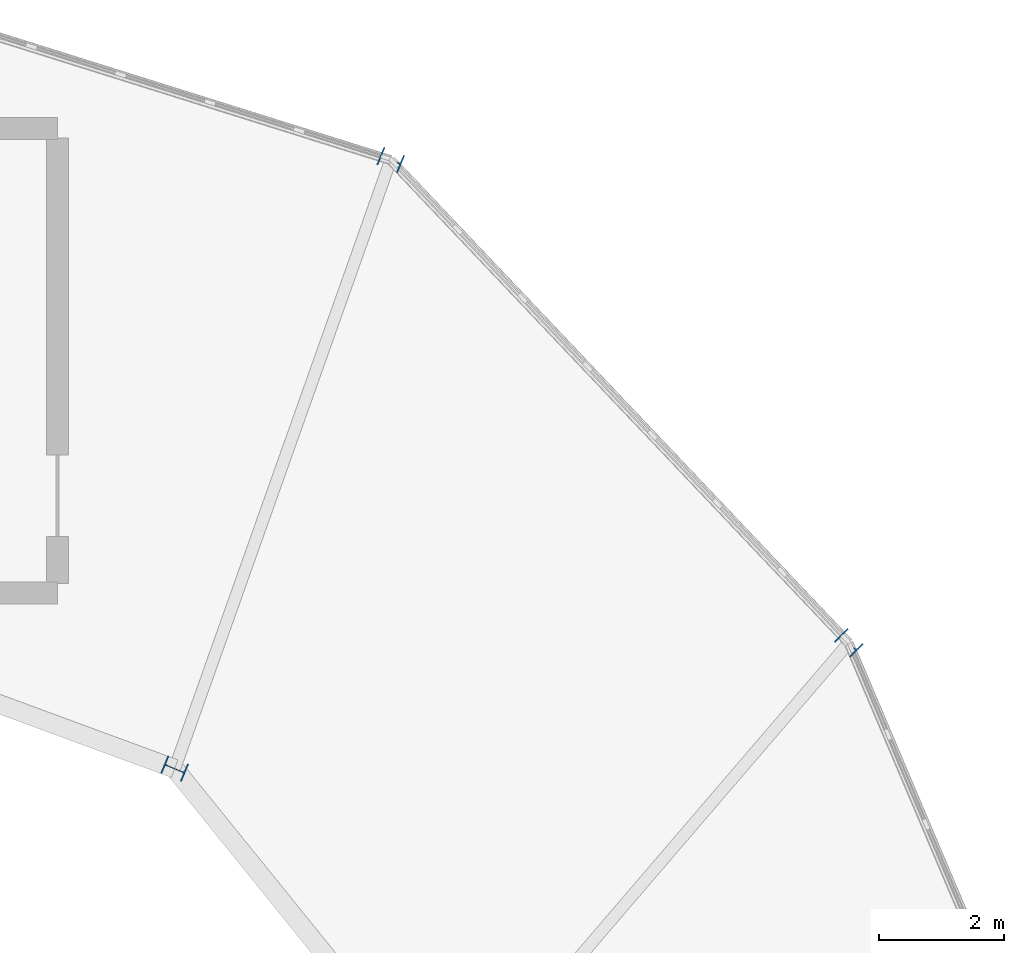
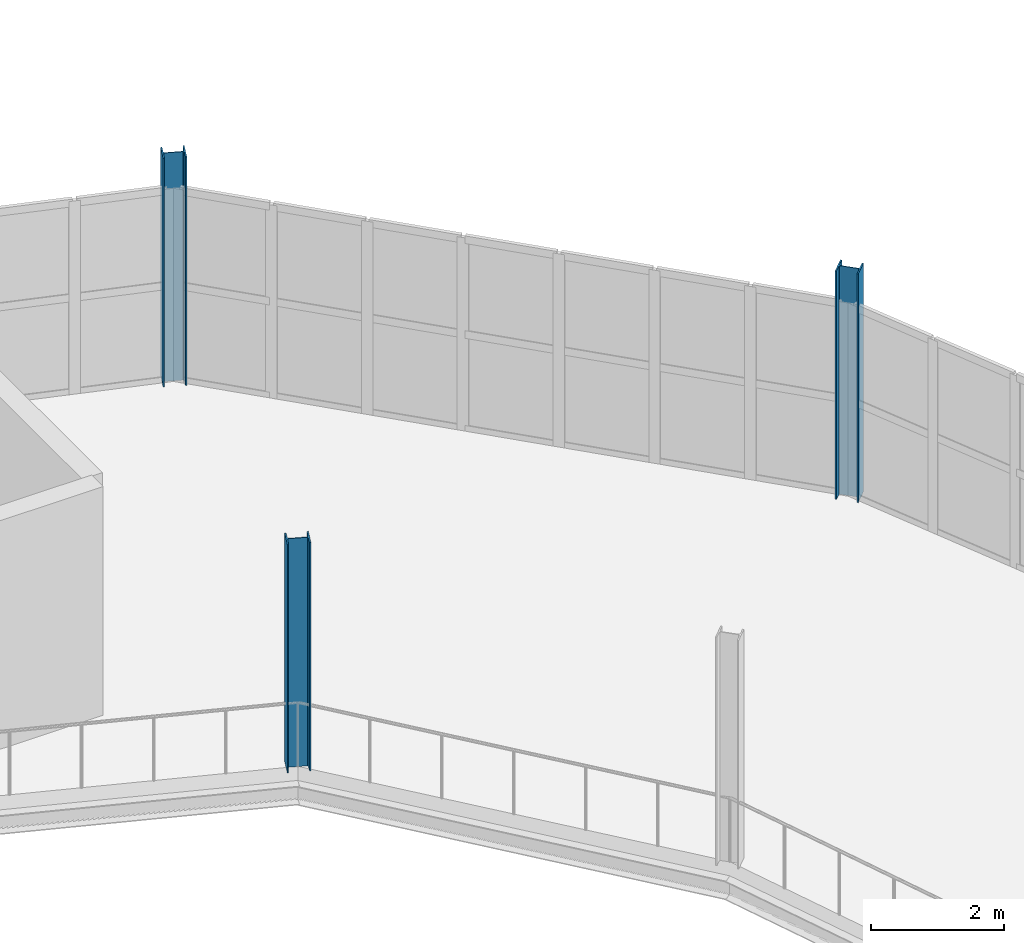
# One storey, part 28 of 161: 3 columns.
"""IFC4 building model written with IfcOpenShell, lengths in metres."""

from ifc_helpers import new_model, si_unit, direction, frame, origin, origin_2d, place, context, subcontext, project, spatial, i_section, extrude, material, material_profile, profile_set, type_object, element, save


model = new_model("IFC4")

# Units and contexts
model_context = context("Model", 3, precision=1e-05, world=origin(), true_north=direction((0.0, 1.0)))
body_context = subcontext(model_context, "Body", "Model", "MODEL_VIEW")
ifc_project = project(units=[si_unit("LENGTHUNIT", "METRE"), si_unit("AREAUNIT", "SQUARE_METRE"), si_unit("VOLUMEUNIT", "CUBIC_METRE"), si_unit("PLANEANGLEUNIT", "RADIAN"), si_unit("MASSUNIT", "GRAM", prefix="KILO")], contexts=[model_context])

# Site, building, storey
site_placement = place(None, origin())
site = spatial("IfcSite", under=ifc_project, at=site_placement, CompositionType="ELEMENT")
building_placement = place(site_placement, origin())
building = spatial("IfcBuilding", under=site, at=building_placement, Name="Kildeholm Park Wholesale Market", CompositionType="ELEMENT")
storey_placement = place(building_placement, frame((0.0, 0.0, 5.39990234375)))
storey = spatial("IfcBuildingStorey", under=building, at=storey_placement, Name="L01", CompositionType="ELEMENT", Elevation=5.39990234375)

# Columns
ifc_material = material(Name="Steel S355", Category="steel")
ifc_material_profile = material_profile(ifc_material, i_section(OverallWidth=0.300048828125, OverallDepth=0.360107421875, WebThickness=0.012451171875, FlangeThickness=0.0224609375, FilletRadius=0.027099609375, at=origin_2d()), Name="HEB 360")
ifc_profile_set = profile_set([ifc_material_profile], Name="Steel S355")
column_type = type_object("IfcColumnType", Name="Column C-S04 HEB 360", PredefinedType="COLUMN", material=ifc_profile_set)
for number, where, z_axis, x_axis, name in (
    (1, (203.909912109375, 119.60205078125, 0.0), (0.0, 0.0, 1.0), (0.707106781187, 0.707106781187, 0.0), "Column V2-OT-02 L01 COL-0231"),
    (2, (193.166015625, 117.596923828125, 0.0), (0.0, 0.0, 1.0), (0.382683432365, 0.923879532511, 0.0), "Column V2-IN-03 L01 COL-0233"),
    (3, (196.610107421875, 127.298095703125, 0.0), (0.0, 0.0, 1.0), (0.382683432365, 0.923879532511, 0.0), "Column V2-OT-03 L01 COL-0236"),
):
    element("IfcColumn", number, at=place(storey_placement, frame(where, z_axis=z_axis, x_axis=x_axis)), inside=storey, type_object=column_type, Name=name, PredefinedType="COLUMN", context=body_context, shape_type="SweptSolid", body=[
        extrude(i_section(OverallWidth=0.300048828125, OverallDepth=0.360107421875, WebThickness=0.012451171875, FlangeThickness=0.0224609375, FilletRadius=0.027099609375, at=origin_2d()), origin(), (0.0, 0.0, 1.0), 4.2001953125),
    ])

save(model, "model.ifc")
